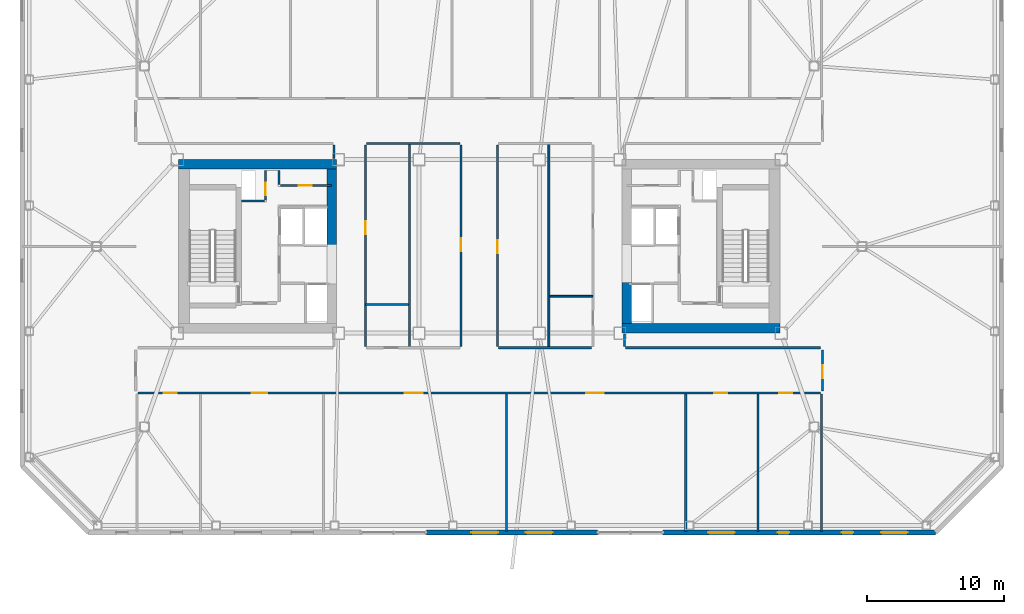
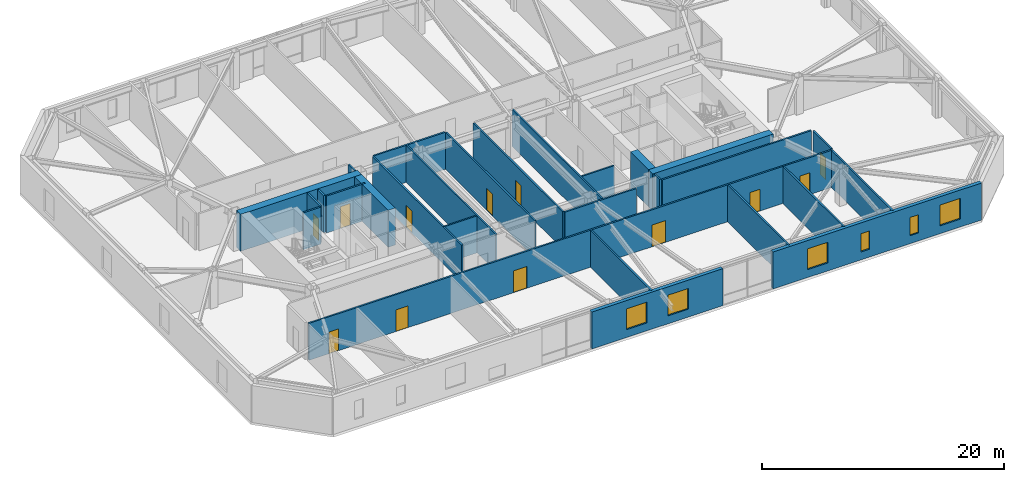
# One storey, part 11 of 18: 28 walls, 12 doors, 6 windows, 18 openings.
"""IFC4 building model written with IfcOpenShell, lengths in metres."""

from ifc_helpers import new_model, si_unit, direction, frame, frame_2d, origin, place, context, subcontext, project, spatial, rectangle, extrude, material, layer, layer_set, type_object, element, fill, save


model = new_model("IFC4")

# Units and contexts
model_context = context("Model", 3, precision=1e-05, world=origin(), true_north=direction((0.0, 1.0)))
body_context = subcontext(model_context, "Body", "Model", "MODEL_VIEW")
ifc_project = project(units=[si_unit("LENGTHUNIT", "METRE"), si_unit("AREAUNIT", "SQUARE_METRE"), si_unit("VOLUMEUNIT", "CUBIC_METRE"), si_unit("PLANEANGLEUNIT", "RADIAN"), si_unit("MASSUNIT", "GRAM", prefix="KILO")], contexts=[model_context])

# Site, building, storey
site_placement = place(None, origin())
site = spatial("IfcSite", under=ifc_project, at=site_placement, CompositionType="ELEMENT")
building_placement = place(site_placement, origin())
building = spatial("IfcBuilding", under=site, at=building_placement, Name="Tavrogorsk Clinical Tower", CompositionType="ELEMENT")
storey_placement = place(building_placement, frame((0.0, 0.0, 184.199951171875)))
storey = spatial("IfcBuildingStorey", under=building, at=storey_placement, Name="L42", CompositionType="ELEMENT", Elevation=184.199951171875)

# Walls
ifc_material_1 = material(Name="Lightweight concrete blockwork B15", Category="masonry")
ifc_layer_1 = layer(ifc_material_1, 0.139892578125)
ifc_layer_set_1 = layer_set([ifc_layer_1], Name="Lightweight concrete blockwork B15")
wall_type_1 = type_object("IfcWallType", Name="PartitionWall_140", PredefinedType="PARTITIONING", material=ifc_layer_set_1)
for number, where, z_axis, x_axis, name in (
    (1, (-5.10009765625, -7.4150390625, 0.0), (0.0, 0.0, 1.0), (0.0, 1.0, 0.0), "L42 Central Spine Partition 1"),
    (2, (5.10009765625, -7.4150390625, 0.0), (0.0, 0.0, 1.0), (0.0, 1.0, 0.0), "L42 Central Spine Partition 2"),
):
    element("IfcWall", number, at=place(storey_placement, frame(where, z_axis=z_axis, x_axis=x_axis)), inside=storey, type_object=wall_type_1, Name=name, PredefinedType="PARTITIONING", context=body_context, shape_type="SweptSolid", body=[
        extrude(rectangle(XDim=14.929931640625, YDim=0.139892578125, at=frame_2d((7.46484375, 0.0))), origin(), (0.0, 0.0, 1.0), 3.739990234375),
    ])
for number, where, z_axis, x_axis, name in (
    (3, (-8.31494140625, -4.25, 0.0), (0.0, 0.0, 1.0), (1.0, 0.0, 0.0), "L42 Central Spine Partition 3"),
    (4, (5.175048828125, -3.64990234375, 0.0), (0.0, 0.0, 1.0), (1.0, 0.0, 0.0), "L42 Central Spine Partition 4"),
):
    element("IfcWall", number, at=place(storey_placement, frame(where, z_axis=z_axis, x_axis=x_axis)), inside=storey, type_object=wall_type_1, Name=name, PredefinedType="PARTITIONING", context=body_context, shape_type="SweptSolid", body=[
        extrude(rectangle(XDim=3.139892578125, YDim=0.139892578125, at=frame_2d((1.56982421875, 0.0))), origin(), (0.0, 0.0, 1.0), 3.739990234375),
    ])

# Wall, opening, door
ifc_material_2 = material(Name="Lightweight concrete blockwork B15", Category="masonry")
ifc_layer_2 = layer(ifc_material_2, 0.159912109375)
ifc_layer_set_2 = layer_set([ifc_layer_2], Name="Lightweight concrete blockwork B15")
wall_type_2 = type_object("IfcWallType", Name="PartitionWall_160", PredefinedType="PARTITIONING", material=ifc_layer_set_2)
wall_1_placement = place(storey_placement, frame((-14.554931640625, 4.4599609375, 0.0), z_axis=(0.0, 0.0, 1.0), x_axis=(1.0, 0.0, 0.0)))
wall_1 = element("IfcWall", 5, at=wall_1_placement, inside=storey, type_object=wall_type_2, Name="L42 Core West Pneumatic Dispatch South Wall", PredefinedType="PARTITIONING", context=body_context, shape_type="SweptSolid", body=[
    extrude(rectangle(XDim=3.7548828125, YDim=0.159912109375, at=frame_2d((1.87744140625, 0.0))), origin(), (0.0, 0.0, 1.0), 3.739990234375),
])
opening_1_placement = place(wall_1_placement, frame((1.35009765625, 0.0, 0.0)))
opening_1 = element("IfcOpeningElement", 6, at=opening_1_placement, cuts=wall_1, Name="Opening ID-02", PredefinedType="OPENING", context=body_context, shape_type="SweptSolid", body=[
    extrude(rectangle(XDim=0.949951171875, YDim=2.199951171875, at=frame_2d((0.47509765625, 1.10009765625))), frame((0.0, 0.08984375, 0.0), z_axis=(0.0, -1.0, 0.0), x_axis=(1.0, 0.0, 0.0)), (0.0, 0.0, 1.0), 0.179931640625),
])
ifc_material_3 = material(Name="Laminated timber leaf on aluminium frame", Category="wood")
door_type_1 = type_object("IfcDoorType", Name="InteriorDoor_ID02_950", OperationType="NOTDEFINED", PredefinedType="DOOR", material=ifc_material_3)
door_1_placement = place(opening_1_placement, origin())
door_1 = element("IfcDoor", 7, at=door_1_placement, inside=storey, type_object=door_type_1, Name="L42 Core West Pneumatic Dispatch Door", OperationType="SINGLE_SWING_LEFT", OverallHeight=2.199951171875, OverallWidth=0.949951171875, PredefinedType="DOOR", context=body_context, shape_type="SweptSolid", body=[
    extrude(rectangle(XDim=0.949951171875, YDim=2.199951171875, at=frame_2d((0.47509765625, 1.10009765625))), frame((0.0, 0.02490234375, 0.0), z_axis=(0.0, -1.0, 0.0), x_axis=(1.0, 0.0, 0.0)), (0.0, 0.0, 1.0), 0.050048828125),
])
fill(opening_1, door_1)

# Walls
for number, where, z_axis, x_axis, name in (
    (8, (-14.639892578125, 4.544921875, 0.0), (0.0, 0.0, 1.0), (0.0, 1.0, 0.0), "L42 Core West Pneumatic Dispatch East Wall"),
    (9, (-10.6298828125, 6.419921875, 0.0), (0.0, 0.0, 1.0), (0.0, 1.0, 0.0), "L42 Corridor Partition 04"),
):
    element("IfcWall", number, at=place(storey_placement, frame(where, z_axis=z_axis, x_axis=x_axis)), inside=storey, type_object=wall_type_2, Name=name, PredefinedType="PARTITIONING", context=body_context, shape_type="SweptSolid", body=[
        extrude(rectangle(XDim=1.01513671875, YDim=0.159912109375, at=frame_2d((0.507568359375, 0.0))), origin(), (0.0, 0.0, 1.0), 3.739990234375),
    ])
wall_2_placement = place(storey_placement, frame((10.6298828125, -6.419921875, 0.0), z_axis=(0.0, 0.0, 1.0), x_axis=(0.0, -1.0, 0.0)))
element("IfcWall", 10, at=wall_2_placement, inside=storey, type_object=wall_type_2, Name="L42 Corridor Partition 11", PredefinedType="PARTITIONING", context=body_context, shape_type="SweptSolid", body=[
    extrude(rectangle(XDim=0.9150390625, YDim=0.159912109375, at=frame_2d((0.45751953125, 0.0))), origin(), (0.0, 0.0, 1.0), 3.739990234375),
])
wall_3_placement = place(storey_placement, frame((10.715087890625, -7.419921875, 0.0), z_axis=(0.0, 0.0, 1.0), x_axis=(1.0, 0.0, 0.0)))
element("IfcWall", 11, at=wall_3_placement, inside=storey, type_object=wall_type_2, Name="L42 Corridor Partition 12", PredefinedType="PARTITIONING", context=body_context, shape_type="SweptSolid", body=[
    extrude(rectangle(XDim=14.25, YDim=0.159912109375, at=frame_2d((7.125, 0.0))), origin(), (0.0, 0.0, 1.0), 3.739990234375),
])

# Wall, opening, door
wall_4_placement = place(storey_placement, frame((25.1298828125, -7.5849609375, 0.0), z_axis=(0.0, 0.0, 1.0), x_axis=(0.0, -1.0, 0.0)))
wall_4 = element("IfcWall", 12, at=wall_4_placement, inside=storey, type_object=wall_type_2, Name="L42 Corridor Partition 13", PredefinedType="PARTITIONING", context=body_context, shape_type="SweptSolid", body=[
    extrude(rectangle(XDim=2.97998046875, YDim=0.159912109375, at=frame_2d((1.489990234375, 0.0))), origin(), (0.0, 0.0, 1.0), 3.739990234375),
])
opening_2_placement = place(wall_4_placement, frame((1.10009765625, 0.0, 0.0)))
opening_2 = element("IfcOpeningElement", 13, at=opening_2_placement, cuts=wall_4, Name="Opening ID-02", PredefinedType="OPENING", context=body_context, shape_type="SweptSolid", body=[
    extrude(rectangle(XDim=0.949951171875, YDim=2.199951171875, at=frame_2d((0.47509765625, 1.10009765625))), frame((0.0, 0.08984375, 0.0), z_axis=(0.0, -1.0, 0.0), x_axis=(1.0, 0.0, 0.0)), (0.0, 0.0, 1.0), 0.179931640625),
])
door_2_placement = place(opening_2_placement, origin())
door_2 = element("IfcDoor", 14, at=door_2_placement, inside=storey, type_object=door_type_1, Name="L42 E Senior Clinician Suite 1 Door", OperationType="SINGLE_SWING_RIGHT", OverallHeight=2.199951171875, OverallWidth=0.949951171875, PredefinedType="DOOR", context=body_context, shape_type="SweptSolid", body=[
    extrude(rectangle(XDim=0.949951171875, YDim=2.199951171875, at=frame_2d((0.47509765625, 1.10009765625))), frame((0.0, 0.02490234375, 0.0), z_axis=(0.0, -1.0, 0.0), x_axis=(1.0, 0.0, 0.0)), (0.0, 0.0, 1.0), 0.050048828125),
])
fill(opening_2, door_2)

# Wall, openings, doors
wall_5_placement = place(storey_placement, frame((24.965087890625, -10.72998046875, 0.0), z_axis=(0.0, 0.0, 1.0), x_axis=(-1.0, 0.0, 0.0)))
wall_5 = element("IfcWall", 15, at=wall_5_placement, inside=storey, type_object=wall_type_2, Name="L42 Corridor Partition 14", PredefinedType="PARTITIONING", context=body_context, shape_type="SweptSolid", body=[
    extrude(rectangle(XDim=49.93017578125, YDim=0.159912109375, at=frame_2d((24.965087890625, 0.0))), origin(), (0.0, 0.0, 1.0), 3.739990234375),
])
opening_3_placement = place(wall_5_placement, frame((47.10595703125, 0.0, 0.0)))
opening_3 = element("IfcOpeningElement", 16, at=opening_3_placement, cuts=wall_5, Name="Opening ID-02", PredefinedType="OPENING", context=body_context, shape_type="SweptSolid", body=[
    extrude(rectangle(XDim=0.949951171875, YDim=2.199951171875, at=frame_2d((0.47509765625, 1.10009765625))), frame((0.0, 0.08984375, 0.0), z_axis=(0.0, -1.0, 0.0), x_axis=(1.0, 0.0, 0.0)), (0.0, 0.0, 1.0), 0.179931640625),
])
opening_4_placement = place(wall_5_placement, frame((40.47509765625, 0.0, 0.0)))
opening_4 = element("IfcOpeningElement", 17, at=opening_4_placement, cuts=wall_5, Name="Opening ID-06", PredefinedType="OPENING", context=body_context, shape_type="SweptSolid", body=[
    extrude(rectangle(XDim=1.14990234375, YDim=2.199951171875, at=frame_2d((0.574951171875, 1.10009765625))), frame((0.0, 0.08984375, 0.0), z_axis=(0.0, -1.0, 0.0), x_axis=(1.0, 0.0, 0.0)), (0.0, 0.0, 1.0), 0.179931640625),
])
opening_5_placement = place(wall_5_placement, frame((29.10009765625, 0.0, 0.0)))
opening_5 = element("IfcOpeningElement", 18, at=opening_5_placement, cuts=wall_5, Name="Opening ID-01", PredefinedType="OPENING", context=body_context, shape_type="SweptSolid", body=[
    extrude(rectangle(XDim=1.300048828125, YDim=2.199951171875, at=frame_2d((0.64990234375, 1.10009765625))), frame((0.0, 0.08984375, 0.0), z_axis=(0.0, -1.0, 0.0), x_axis=(1.0, 0.0, 0.0)), (0.0, 0.0, 1.0), 0.179931640625),
])
opening_6_placement = place(wall_5_placement, frame((15.840087890625, 0.0, 0.0)))
opening_6 = element("IfcOpeningElement", 19, at=opening_6_placement, cuts=wall_5, Name="Opening ID-01", PredefinedType="OPENING", context=body_context, shape_type="SweptSolid", body=[
    extrude(rectangle(XDim=1.300048828125, YDim=2.199951171875, at=frame_2d((0.64990234375, 1.10009765625))), frame((0.0, 0.08984375, 0.0), z_axis=(0.0, -1.0, 0.0), x_axis=(1.0, 0.0, 0.0)), (0.0, 0.0, 1.0), 0.179931640625),
])
opening_7_placement = place(wall_5_placement, frame((6.81494140625, 0.0, 0.0)))
opening_7 = element("IfcOpeningElement", 20, at=opening_7_placement, cuts=wall_5, Name="Opening ID-02", PredefinedType="OPENING", context=body_context, shape_type="SweptSolid", body=[
    extrude(rectangle(XDim=0.949951171875, YDim=2.199951171875, at=frame_2d((0.47509765625, 1.10009765625))), frame((0.0, 0.08984375, 0.0), z_axis=(0.0, -1.0, 0.0), x_axis=(1.0, 0.0, 0.0)), (0.0, 0.0, 1.0), 0.179931640625),
])
opening_8_placement = place(wall_5_placement, frame((2.044189453125, 0.0, 0.0)))
opening_8 = element("IfcOpeningElement", 21, at=opening_8_placement, cuts=wall_5, Name="Opening ID-02", PredefinedType="OPENING", context=body_context, shape_type="SweptSolid", body=[
    extrude(rectangle(XDim=0.949951171875, YDim=2.199951171875, at=frame_2d((0.47509765625, 1.10009765625))), frame((0.0, 0.08984375, 0.0), z_axis=(0.0, -1.0, 0.0), x_axis=(1.0, 0.0, 0.0)), (0.0, 0.0, 1.0), 0.179931640625),
])
door_3_placement = place(opening_3_placement, origin())
door_3 = element("IfcDoor", 22, at=door_3_placement, inside=storey, type_object=door_type_1, Name="L42 South Clinical Case Seminar Room 01 Door", OperationType="SINGLE_SWING_RIGHT", OverallHeight=2.199951171875, OverallWidth=0.949951171875, PredefinedType="DOOR", context=body_context, shape_type="SweptSolid", body=[
    extrude(rectangle(XDim=0.949951171875, YDim=2.199951171875, at=frame_2d((0.47509765625, 1.10009765625))), frame((0.0, 0.02490234375, 0.0), z_axis=(0.0, -1.0, 0.0), x_axis=(1.0, 0.0, 0.0)), (0.0, 0.0, 1.0), 0.050048828125),
])
fill(opening_3, door_3)
door_4_placement = place(opening_7_placement, origin())
door_4 = element("IfcDoor", 23, at=door_4_placement, inside=storey, type_object=door_type_1, Name="L42 South Soiled Utility & Sluice Room 05 Door", OperationType="SINGLE_SWING_RIGHT", OverallHeight=2.199951171875, OverallWidth=0.949951171875, PredefinedType="DOOR", context=body_context, shape_type="SweptSolid", body=[
    extrude(rectangle(XDim=0.949951171875, YDim=2.199951171875, at=frame_2d((0.47509765625, 1.10009765625))), frame((0.0, 0.02490234375, 0.0), z_axis=(0.0, -1.0, 0.0), x_axis=(1.0, 0.0, 0.0)), (0.0, 0.0, 1.0), 0.050048828125),
])
fill(opening_7, door_4)
door_5_placement = place(opening_8_placement, origin())
door_5 = element("IfcDoor", 24, at=door_5_placement, inside=storey, type_object=door_type_1, Name="L42 South Clinical Case Seminar Room 06 Door", OperationType="SINGLE_SWING_LEFT", OverallHeight=2.199951171875, OverallWidth=0.949951171875, PredefinedType="DOOR", context=body_context, shape_type="SweptSolid", body=[
    extrude(rectangle(XDim=0.949951171875, YDim=2.199951171875, at=frame_2d((0.47509765625, 1.10009765625))), frame((0.0, 0.02490234375, 0.0), z_axis=(0.0, -1.0, 0.0), x_axis=(1.0, 0.0, 0.0)), (0.0, 0.0, 1.0), 0.050048828125),
])
fill(opening_8, door_5)
ifc_material_4 = material(Name="Antibacterial HPL procedure door on aluminium frame", Category="aluminium")
door_type_2 = type_object("IfcDoorType", Name="LabDoor_ID06_1150", OperationType="NOTDEFINED", PredefinedType="DOOR", material=ifc_material_4)
door_6_placement = place(opening_4_placement, origin())
door_6 = element("IfcDoor", 25, at=door_6_placement, inside=storey, type_object=door_type_2, Name="L42 South Staff Rest & Nourishment Lounge 02 Door", OperationType="SINGLE_SWING_LEFT", OverallHeight=2.199951171875, OverallWidth=1.14990234375, PredefinedType="DOOR", context=body_context, shape_type="SweptSolid", body=[
    extrude(rectangle(XDim=1.14990234375, YDim=2.199951171875, at=frame_2d((0.574951171875, 1.10009765625))), frame((0.0, 0.02490234375, 0.0), z_axis=(0.0, -1.0, 0.0), x_axis=(1.0, 0.0, 0.0)), (0.0, 0.0, 1.0), 0.050048828125),
])
fill(opening_4, door_6)
ifc_material_5 = material(Name="Antibacterial HPL medical leaf on aluminium frame", Category="aluminium")
door_type_3 = type_object("IfcDoorType", Name="WardBedDoor_ID01_1300", OperationType="NOTDEFINED", PredefinedType="DOOR", material=ifc_material_5)
door_7_placement = place(opening_5_placement, origin())
door_7 = element("IfcDoor", 26, at=door_7_placement, inside=storey, type_object=door_type_3, Name="L42 South Bariatric Observation Ward 03 Door", OperationType="SINGLE_SWING_RIGHT", OverallHeight=2.199951171875, OverallWidth=1.300048828125, PredefinedType="DOOR", context=body_context, shape_type="SweptSolid", body=[
    extrude(rectangle(XDim=1.300048828125, YDim=2.199951171875, at=frame_2d((0.64990234375, 1.10009765625))), frame((0.0, 0.02490234375, 0.0), z_axis=(0.0, -1.0, 0.0), x_axis=(1.0, 0.0, 0.0)), (0.0, 0.0, 1.0), 0.050048828125),
])
fill(opening_5, door_7)
door_8_placement = place(opening_6_placement, origin())
door_8 = element("IfcDoor", 27, at=door_8_placement, inside=storey, type_object=door_type_3, Name="L42 South Surgical Step-Down Ward 04 Door", OperationType="SINGLE_SWING_LEFT", OverallHeight=2.199951171875, OverallWidth=1.300048828125, PredefinedType="DOOR", context=body_context, shape_type="SweptSolid", body=[
    extrude(rectangle(XDim=1.300048828125, YDim=2.199951171875, at=frame_2d((0.64990234375, 1.10009765625))), frame((0.0, 0.02490234375, 0.0), z_axis=(0.0, -1.0, 0.0), x_axis=(1.0, 0.0, 0.0)), (0.0, 0.0, 1.0), 0.050048828125),
])
fill(opening_6, door_8)

# Wall, opening, door
wall_6_placement = place(storey_placement, frame((1.330078125, 7.43505859375, 0.0), z_axis=(0.0, 0.0, 1.0), x_axis=(0.0, -1.0, 0.0)))
wall_6 = element("IfcWall", 28, at=wall_6_placement, inside=storey, type_object=wall_type_2, Name="L42 Corridor Partition 16", PredefinedType="PARTITIONING", context=body_context, shape_type="SweptSolid", body=[
    extrude(rectangle(XDim=14.77001953125, YDim=0.159912109375, at=frame_2d((7.385009765625, 0.0))), origin(), (0.0, 0.0, 1.0), 3.739990234375),
])
opening_9_placement = place(wall_6_placement, frame((6.9951171875, 0.0, 0.0)))
opening_9 = element("IfcOpeningElement", 29, at=opening_9_placement, cuts=wall_6, Name="Opening ID-02", PredefinedType="OPENING", context=body_context, shape_type="SweptSolid", body=[
    extrude(rectangle(XDim=0.949951171875, YDim=2.199951171875, at=frame_2d((0.47509765625, 1.10009765625))), frame((0.0, 0.08984375, 0.0), z_axis=(0.0, -1.0, 0.0), x_axis=(1.0, 0.0, 0.0)), (0.0, 0.0, 1.0), 0.179931640625),
])
door_9_placement = place(opening_9_placement, origin())
door_9 = element("IfcDoor", 30, at=door_9_placement, inside=storey, type_object=door_type_1, Name="L42 Clean Medication Preparation Room Door", OperationType="SINGLE_SWING_LEFT", OverallHeight=2.199951171875, OverallWidth=0.949951171875, PredefinedType="DOOR", context=body_context, shape_type="SweptSolid", body=[
    extrude(rectangle(XDim=0.949951171875, YDim=2.199951171875, at=frame_2d((0.47509765625, 1.10009765625))), frame((0.0, 0.02490234375, 0.0), z_axis=(0.0, -1.0, 0.0), x_axis=(1.0, 0.0, 0.0)), (0.0, 0.0, 1.0), 0.050048828125),
])
fill(opening_9, door_9)

# Wall
wall_7_placement = place(storey_placement, frame((1.4150390625, -7.419921875, 0.0), z_axis=(0.0, 0.0, 1.0), x_axis=(1.0, 0.0, 0.0)))
element("IfcWall", 31, at=wall_7_placement, inside=storey, type_object=wall_type_2, Name="L42 Corridor Partition 17", PredefinedType="PARTITIONING", context=body_context, shape_type="SweptSolid", body=[
    extrude(rectangle(XDim=6.820068359375, YDim=0.159912109375, at=frame_2d((3.41015625, 0.0))), origin(), (0.0, 0.0, 1.0), 3.739990234375),
])

# Wall, opening, door
wall_8_placement = place(storey_placement, frame((-1.330078125, -7.3349609375, 0.0), z_axis=(0.0, 0.0, 1.0), x_axis=(0.0, 1.0, 0.0)))
wall_8 = element("IfcWall", 32, at=wall_8_placement, inside=storey, type_object=wall_type_2, Name="L42 Corridor Partition 19", PredefinedType="PARTITIONING", context=body_context, shape_type="SweptSolid", body=[
    extrude(rectangle(XDim=14.77001953125, YDim=0.159912109375, at=frame_2d((7.385009765625, 0.0))), origin(), (0.0, 0.0, 1.0), 3.739990234375),
])
opening_10_placement = place(wall_8_placement, frame((6.9951171875, 0.0, 0.0)))
opening_10 = element("IfcOpeningElement", 33, at=opening_10_placement, cuts=wall_8, Name="Opening ID-02", PredefinedType="OPENING", context=body_context, shape_type="SweptSolid", body=[
    extrude(rectangle(XDim=0.949951171875, YDim=2.199951171875, at=frame_2d((0.47509765625, 1.10009765625))), frame((0.0, 0.08984375, 0.0), z_axis=(0.0, -1.0, 0.0), x_axis=(1.0, 0.0, 0.0)), (0.0, 0.0, 1.0), 0.179931640625),
])
door_10_placement = place(opening_10_placement, origin())
door_10 = element("IfcDoor", 34, at=door_10_placement, inside=storey, type_object=door_type_1, Name="L42 Nurses' Station & Telemetry Hub Door", OperationType="SINGLE_SWING_RIGHT", OverallHeight=2.199951171875, OverallWidth=0.949951171875, PredefinedType="DOOR", context=body_context, shape_type="SweptSolid", body=[
    extrude(rectangle(XDim=0.949951171875, YDim=2.199951171875, at=frame_2d((0.47509765625, 1.10009765625))), frame((0.0, 0.02490234375, 0.0), z_axis=(0.0, -1.0, 0.0), x_axis=(1.0, 0.0, 0.0)), (0.0, 0.0, 1.0), 0.050048828125),
])
fill(opening_10, door_10)

# Wall
wall_9_placement = place(storey_placement, frame((-1.4150390625, 7.52001953125, 0.0), z_axis=(0.0, 0.0, 1.0), x_axis=(-1.0, 0.0, 0.0)))
element("IfcWall", 35, at=wall_9_placement, inside=storey, type_object=wall_type_2, Name="L42 Corridor Partition 20", PredefinedType="PARTITIONING", context=body_context, shape_type="SweptSolid", body=[
    extrude(rectangle(XDim=6.820068359375, YDim=0.159912109375, at=frame_2d((3.41015625, 0.0))), origin(), (0.0, 0.0, 1.0), 3.739990234375),
])

# Wall, opening, door
wall_10_placement = place(storey_placement, frame((-8.320068359375, 7.43505859375, 0.0), z_axis=(0.0, 0.0, 1.0), x_axis=(0.0, -1.0, 0.0)))
wall_10 = element("IfcWall", 36, at=wall_10_placement, inside=storey, type_object=wall_type_2, Name="L42 Corridor Partition 21", PredefinedType="PARTITIONING", context=body_context, shape_type="SweptSolid", body=[
    extrude(rectangle(XDim=14.77001953125, YDim=0.159912109375, at=frame_2d((7.385009765625, 0.0))), origin(), (0.0, 0.0, 1.0), 3.739990234375),
])
opening_11_placement = place(wall_10_placement, frame((5.60400390625, 0.0, 0.0)))
opening_11 = element("IfcOpeningElement", 37, at=opening_11_placement, cuts=wall_10, Name="Opening ID-02", PredefinedType="OPENING", context=body_context, shape_type="SweptSolid", body=[
    extrude(rectangle(XDim=0.949951171875, YDim=2.199951171875, at=frame_2d((0.47509765625, 1.10009765625))), frame((0.0, 0.08984375, 0.0), z_axis=(0.0, -1.0, 0.0), x_axis=(1.0, 0.0, 0.0)), (0.0, 0.0, 1.0), 0.179931640625),
])
door_11_placement = place(opening_11_placement, origin())
door_11 = element("IfcDoor", 38, at=door_11_placement, inside=storey, type_object=door_type_1, Name="L42 Ward Nourishment Pantry Door", OperationType="SINGLE_SWING_LEFT", OverallHeight=2.199951171875, OverallWidth=0.949951171875, PredefinedType="DOOR", context=body_context, shape_type="SweptSolid", body=[
    extrude(rectangle(XDim=0.949951171875, YDim=2.199951171875, at=frame_2d((0.47509765625, 1.10009765625))), frame((0.0, 0.02490234375, 0.0), z_axis=(0.0, -1.0, 0.0), x_axis=(1.0, 0.0, 0.0)), (0.0, 0.0, 1.0), 0.050048828125),
])
fill(opening_11, door_11)

# Walls
for number, where, z_axis, x_axis, name in (
    (39, (25.050048828125, -20.860107421875, 0.0), (0.0, 0.0, 1.0), (0.0, 1.0, 0.0), "L42 SE Wing Closure Partition"),
    (40, (2.0, -20.860107421875, 0.0), (0.0, 0.0, 1.0), (0.0, 1.0, 0.0), "L42 South Room Partition 3"),
    (41, (15.1201171875, -20.860107421875, 0.0), (0.0, 0.0, 1.0), (0.0, 1.0, 0.0), "L42 South Room Partition 4"),
    (42, (20.39990234375, -20.860107421875, 0.0), (0.0, 0.0, 1.0), (0.0, 1.0, 0.0), "L42 South Room Partition 5"),
):
    element("IfcWall", number, at=place(storey_placement, frame(where, z_axis=z_axis, x_axis=x_axis)), inside=storey, type_object=wall_type_2, Name=name, PredefinedType="PARTITIONING", context=body_context, shape_type="SweptSolid", body=[
        extrude(rectangle(XDim=10.045166015625, YDim=0.159912109375, at=frame_2d((5.0224609375, 0.0))), origin(), (0.0, 0.0, 1.0), 3.739990234375),
    ])

# Wall, openings, windows
ifc_material_6 = material(Name="Precast concrete B45 with limestone cladding", Category="masonry")
ifc_layer_3 = layer(ifc_material_6, 0.340087890625)
ifc_layer_set_3 = layer_set([ifc_layer_3], Name="Precast concrete B45 with limestone cladding")
wall_type_3 = type_object("IfcWallType", Name="PrecastLimestoneWall_340", PredefinedType="STANDARD", material=ifc_layer_set_3)
wall_11_placement = place(storey_placement, frame((-3.86279296875, -20.929931640625, 0.0), z_axis=(0.0, 0.0, 1.0), x_axis=(1.0, 0.0, 0.0)))
wall_11 = element("IfcWall", 43, at=wall_11_placement, inside=storey, type_object=wall_type_3, Name="L42 S Limestone Facade Wall 2", PredefinedType="STANDARD", context=body_context, shape_type="SweptSolid", body=[
    extrude(rectangle(XDim=12.525634765625, YDim=0.340087890625, at=frame_2d((6.2626953125, 0.0))), origin(), (0.0, 0.0, 1.0), 3.739990234375),
])
opening_12_placement = place(wall_11_placement, frame((3.29541015625, 0.0, 0.800048828125)))
opening_12 = element("IfcOpeningElement", 44, at=opening_12_placement, cuts=wall_11, Name="Opening WN-13", PredefinedType="OPENING", context=body_context, shape_type="SweptSolid", body=[
    extrude(rectangle(XDim=1.949951171875, YDim=2.10009765625, at=frame_2d((0.97509765625, 1.050048828125))), frame((0.0, 0.179931640625, 0.0), z_axis=(0.0, -1.0, 0.0), x_axis=(1.0, 0.0, 0.0)), (0.0, 0.0, 1.0), 0.360107421875),
])
opening_13_placement = place(wall_11_placement, frame((7.2802734375, 0.0, 0.800048828125)))
opening_13 = element("IfcOpeningElement", 45, at=opening_13_placement, cuts=wall_11, Name="Opening WN-13", PredefinedType="OPENING", context=body_context, shape_type="SweptSolid", body=[
    extrude(rectangle(XDim=1.949951171875, YDim=2.10009765625, at=frame_2d((0.97509765625, 1.050048828125))), frame((0.0, 0.179931640625, 0.0), z_axis=(0.0, -1.0, 0.0), x_axis=(1.0, 0.0, 0.0)), (0.0, 0.0, 1.0), 0.360107421875),
])
ifc_material_7 = material(Name="Thermally broken aluminium frame and triple IGU", Category="aluminium")
window_type_1 = type_object("IfcWindowType", Name="ExamRoomWin_1950x2100", PartitioningType="DOUBLE_PANEL_VERTICAL", PredefinedType="WINDOW", material=ifc_material_7)
window_1_placement = place(opening_12_placement, origin())
window_1 = element("IfcWindow", 46, at=window_1_placement, inside=storey, type_object=window_type_1, Name="L42 S Chicago Window 05", OverallHeight=2.10009765625, OverallWidth=1.949951171875, PartitioningType="SINGLE_PANEL", PredefinedType="WINDOW", context=body_context, shape_type="SweptSolid", body=[
    extrude(rectangle(XDim=1.949951171875, YDim=2.10009765625, at=frame_2d((0.97509765625, 1.050048828125))), frame((0.0, 0.030029296875, 0.0), z_axis=(0.0, -1.0, 0.0), x_axis=(1.0, 0.0, 0.0)), (0.0, 0.0, 1.0), 0.06005859375),
])
fill(opening_12, window_1)
window_2_placement = place(opening_13_placement, origin())
window_2 = element("IfcWindow", 47, at=window_2_placement, inside=storey, type_object=window_type_1, Name="L42 S Chicago Window 06", OverallHeight=2.10009765625, OverallWidth=1.949951171875, PartitioningType="SINGLE_PANEL", PredefinedType="WINDOW", context=body_context, shape_type="SweptSolid", body=[
    extrude(rectangle(XDim=1.949951171875, YDim=2.10009765625, at=frame_2d((0.97509765625, 1.050048828125))), frame((0.0, 0.030029296875, 0.0), z_axis=(0.0, -1.0, 0.0), x_axis=(1.0, 0.0, 0.0)), (0.0, 0.0, 1.0), 0.06005859375),
])
fill(opening_13, window_2)

wall_12_placement = place(storey_placement, frame((13.462890625, -20.929931640625, 0.0), z_axis=(0.0, 0.0, 1.0), x_axis=(1.0, 0.0, 0.0)))
wall_12 = element("IfcWall", 48, at=wall_12_placement, inside=storey, type_object=wall_type_3, Name="L42 S Limestone Facade Wall 3", PredefinedType="STANDARD", context=body_context, shape_type="SweptSolid", body=[
    extrude(rectangle(XDim=19.93701171875, YDim=0.340087890625, at=frame_2d((9.968505859375, 0.0))), origin(), (0.0, 0.0, 1.0), 3.739990234375),
])
opening_14_placement = place(wall_12_placement, frame((3.29541015625, 0.0, 0.800048828125)))
opening_14 = element("IfcOpeningElement", 49, at=opening_14_placement, cuts=wall_12, Name="Opening WN-13", PredefinedType="OPENING", context=body_context, shape_type="SweptSolid", body=[
    extrude(rectangle(XDim=1.949951171875, YDim=2.10009765625, at=frame_2d((0.97509765625, 1.050048828125))), frame((0.0, 0.179931640625, 0.0), z_axis=(0.0, -1.0, 0.0), x_axis=(1.0, 0.0, 0.0)), (0.0, 0.0, 1.0), 0.360107421875),
])
opening_15_placement = place(wall_12_placement, frame((8.38037109375, 0.0, 0.800048828125)))
opening_15 = element("IfcOpeningElement", 50, at=opening_15_placement, cuts=wall_12, Name="Opening WN-06", PredefinedType="OPENING", context=body_context, shape_type="SweptSolid", body=[
    extrude(rectangle(XDim=0.85009765625, YDim=1.85009765625, at=frame_2d((0.425048828125, 0.925048828125))), frame((0.0, 0.179931640625, 0.0), z_axis=(0.0, -1.0, 0.0), x_axis=(1.0, 0.0, 0.0)), (0.0, 0.0, 1.0), 0.360107421875),
])
opening_16_placement = place(wall_12_placement, frame((13.058349609375, 0.0, 0.800048828125)))
opening_16 = element("IfcOpeningElement", 51, at=opening_16_placement, cuts=wall_12, Name="Opening WN-06", PredefinedType="OPENING", context=body_context, shape_type="SweptSolid", body=[
    extrude(rectangle(XDim=0.85009765625, YDim=1.85009765625, at=frame_2d((0.425048828125, 0.925048828125))), frame((0.0, 0.179931640625, 0.0), z_axis=(0.0, -1.0, 0.0), x_axis=(1.0, 0.0, 0.0)), (0.0, 0.0, 1.0), 0.360107421875),
])
opening_17_placement = place(wall_12_placement, frame((15.943115234375, 0.0, 0.800048828125)))
opening_17 = element("IfcOpeningElement", 52, at=opening_17_placement, cuts=wall_12, Name="Opening WN-13", PredefinedType="OPENING", context=body_context, shape_type="SweptSolid", body=[
    extrude(rectangle(XDim=1.949951171875, YDim=2.10009765625, at=frame_2d((0.97509765625, 1.050048828125))), frame((0.0, 0.179931640625, 0.0), z_axis=(0.0, -1.0, 0.0), x_axis=(1.0, 0.0, 0.0)), (0.0, 0.0, 1.0), 0.360107421875),
])
window_3_placement = place(opening_14_placement, origin())
window_3 = element("IfcWindow", 53, at=window_3_placement, inside=storey, type_object=window_type_1, Name="L42 S Chicago Window 07", OverallHeight=2.10009765625, OverallWidth=1.949951171875, PartitioningType="SINGLE_PANEL", PredefinedType="WINDOW", context=body_context, shape_type="SweptSolid", body=[
    extrude(rectangle(XDim=1.949951171875, YDim=2.10009765625, at=frame_2d((0.97509765625, 1.050048828125))), frame((0.0, 0.030029296875, 0.0), z_axis=(0.0, -1.0, 0.0), x_axis=(1.0, 0.0, 0.0)), (0.0, 0.0, 1.0), 0.06005859375),
])
fill(opening_14, window_3)
window_4_placement = place(opening_17_placement, origin())
window_4 = element("IfcWindow", 54, at=window_4_placement, inside=storey, type_object=window_type_1, Name="L42 S Chicago Window 10", OverallHeight=2.10009765625, OverallWidth=1.949951171875, PartitioningType="SINGLE_PANEL", PredefinedType="WINDOW", context=body_context, shape_type="SweptSolid", body=[
    extrude(rectangle(XDim=1.949951171875, YDim=2.10009765625, at=frame_2d((0.97509765625, 1.050048828125))), frame((0.0, 0.030029296875, 0.0), z_axis=(0.0, -1.0, 0.0), x_axis=(1.0, 0.0, 0.0)), (0.0, 0.0, 1.0), 0.06005859375),
])
fill(opening_17, window_4)
ifc_material_8 = material(Name="Thermally broken aluminium frame and triple IGU", Category="aluminium")
window_type_2 = type_object("IfcWindowType", Name="MullionSubWin_850x1850", PartitioningType="SINGLE_PANEL", PredefinedType="WINDOW", material=ifc_material_8)
window_5_placement = place(opening_15_placement, origin())
window_5 = element("IfcWindow", 55, at=window_5_placement, inside=storey, type_object=window_type_2, Name="L42 S Mullion Split Window 08B", OverallHeight=1.85009765625, OverallWidth=0.85009765625, PartitioningType="SINGLE_PANEL", PredefinedType="WINDOW", context=body_context, shape_type="SweptSolid", body=[
    extrude(rectangle(XDim=0.85009765625, YDim=1.85009765625, at=frame_2d((0.425048828125, 0.925048828125))), frame((0.0, 0.030029296875, 0.0), z_axis=(0.0, -1.0, 0.0), x_axis=(1.0, 0.0, 0.0)), (0.0, 0.0, 1.0), 0.06005859375),
])
fill(opening_15, window_5)
window_6_placement = place(opening_16_placement, origin())
window_6 = element("IfcWindow", 56, at=window_6_placement, inside=storey, type_object=window_type_2, Name="L42 S Mullion Split Window 09B", OverallHeight=1.85009765625, OverallWidth=0.85009765625, PartitioningType="SINGLE_PANEL", PredefinedType="WINDOW", context=body_context, shape_type="SweptSolid", body=[
    extrude(rectangle(XDim=0.85009765625, YDim=1.85009765625, at=frame_2d((0.425048828125, 0.925048828125))), frame((0.0, 0.030029296875, 0.0), z_axis=(0.0, -1.0, 0.0), x_axis=(1.0, 0.0, 0.0)), (0.0, 0.0, 1.0), 0.06005859375),
])
fill(opening_16, window_6)

# Wall, opening, door
ifc_material_9 = material(Name="Lightweight concrete blockwork B25", Category="masonry")
ifc_layer_4 = layer(ifc_material_9, 0.159912109375)
ifc_layer_set_4 = layer_set([ifc_layer_4], Name="Lightweight concrete blockwork B25")
wall_type_4 = type_object("IfcWallType", Name="ShaftWall_160", PredefinedType="PARTITIONING", material=ifc_layer_set_4)
wall_13_placement = place(storey_placement, frame((-15.639892578125, 3.405029296875, 0.0), z_axis=(0.0, 0.0, 1.0), x_axis=(0.0, 1.0, 0.0)))
wall_13 = element("IfcWall", 57, at=wall_13_placement, inside=storey, type_object=wall_type_4, Name="L42 Core West Riser West Wall", PredefinedType="PARTITIONING", context=body_context, shape_type="SweptSolid", body=[
    extrude(rectangle(XDim=2.155029296875, YDim=0.159912109375, at=frame_2d((1.07763671875, 0.0))), origin(), (0.0, 0.0, 1.0), 3.739990234375),
])
opening_18_placement = place(wall_13_placement, frame((0.35009765625, 0.0, 0.0)))
opening_18 = element("IfcOpeningElement", 58, at=opening_18_placement, cuts=wall_13, Name="Opening FD-02", PredefinedType="OPENING", context=body_context, shape_type="SweptSolid", body=[
    extrude(rectangle(XDim=0.89990234375, YDim=2.199951171875, at=frame_2d((0.449951171875, 1.10009765625))), frame((0.0, 0.08984375, 0.0), z_axis=(0.0, -1.0, 0.0), x_axis=(1.0, 0.0, 0.0)), (0.0, 0.0, 1.0), 0.179931640625),
])
ifc_material_10 = material(Name="Galvanised steel fire-rated door assembly", Category="steel")
door_type_4 = type_object("IfcDoorType", Name="FireDoor_FD02_900", OperationType="NOTDEFINED", PredefinedType="DOOR", material=ifc_material_10)
door_12_placement = place(opening_18_placement, origin())
door_12 = element("IfcDoor", 59, at=door_12_placement, inside=storey, type_object=door_type_4, Name="L42 Core West Electrical Riser Access Door", OperationType="SINGLE_SWING_LEFT", OverallHeight=2.199951171875, OverallWidth=0.89990234375, PredefinedType="DOOR", context=body_context, shape_type="SweptSolid", body=[
    extrude(rectangle(XDim=0.89990234375, YDim=2.199951171875, at=frame_2d((0.449951171875, 1.10009765625))), frame((0.0, 0.02490234375, 0.0), z_axis=(0.0, -1.0, 0.0), x_axis=(1.0, 0.0, 0.0)), (0.0, 0.0, 1.0), 0.050048828125),
])
fill(opening_18, door_12)

# Walls
wall_14_placement = place(storey_placement, frame((-17.3798828125, 3.320068359375, 0.0), z_axis=(0.0, 0.0, 1.0), x_axis=(1.0, 0.0, 0.0)))
element("IfcWall", 60, at=wall_14_placement, inside=storey, type_object=wall_type_4, Name="L42 Core West Riser South Wall", PredefinedType="PARTITIONING", context=body_context, shape_type="SweptSolid", body=[
    extrude(rectangle(XDim=1.65478515625, YDim=0.159912109375, at=frame_2d((0.827392578125, 0.0))), origin(), (0.0, 0.0, 1.0), 3.739990234375),
])
ifc_material_11 = material(Name="Concrete B80", Category="concrete")
ifc_layer_5 = layer(ifc_material_11, 0.699951171875)
ifc_layer_set_5 = layer_set([ifc_layer_5], Name="Concrete B80")
wall_type_5 = type_object("IfcWallType", Name="ShearWall_700", PredefinedType="SHEAR", material=ifc_layer_set_5)
wall_15_placement = place(storey_placement, frame((-22.0, 6.0, 0.0), z_axis=(0.0, 0.0, 1.0), x_axis=(1.0, 0.0, 0.0)))
element("IfcWall", 61, at=wall_15_placement, inside=storey, type_object=wall_type_5, Name="L42 Core West North Shear Wall", PredefinedType="SHEAR", context=body_context, shape_type="SweptSolid", body=[
    extrude(rectangle(XDim=11.550048828125, YDim=0.699951171875, at=frame_2d((5.77490234375, 0.0))), origin(), (0.0, 0.0, 1.0), 3.739990234375),
])
wall_16_placement = place(storey_placement, frame((-10.800048828125, 0.050048828125, 0.0), z_axis=(0.0, 0.0, 1.0), x_axis=(0.0, 1.0, 0.0)))
element("IfcWall", 62, at=wall_16_placement, inside=storey, type_object=wall_type_5, Name="L42 Core West Inner North Pier", PredefinedType="SHEAR", context=body_context, shape_type="SweptSolid", body=[
    extrude(rectangle(XDim=5.599853515625, YDim=0.699951171875, at=frame_2d((2.7998046875, 0.0))), origin(), (0.0, 0.0, 1.0), 3.739990234375),
])
wall_17_placement = place(storey_placement, frame((10.449951171875, -6.0, 0.0), z_axis=(0.0, 0.0, 1.0), x_axis=(1.0, 0.0, 0.0)))
element("IfcWall", 63, at=wall_17_placement, inside=storey, type_object=wall_type_5, Name="L42 Core East South Shear Wall", PredefinedType="SHEAR", context=body_context, shape_type="SweptSolid", body=[
    extrude(rectangle(XDim=11.550048828125, YDim=0.699951171875, at=frame_2d((5.77490234375, 0.0))), origin(), (0.0, 0.0, 1.0), 3.739990234375),
])
wall_18_placement = place(storey_placement, frame((10.800048828125, -5.64990234375, 0.0), z_axis=(0.0, 0.0, 1.0), x_axis=(0.0, 1.0, 0.0)))
element("IfcWall", 64, at=wall_18_placement, inside=storey, type_object=wall_type_5, Name="L42 Core East Inner South Pier", PredefinedType="SHEAR", context=body_context, shape_type="SweptSolid", body=[
    extrude(rectangle(XDim=3.0, YDim=0.699951171875, at=frame_2d((1.5, 0.0))), origin(), (0.0, 0.0, 1.0), 3.739990234375),
])

save(model, "model.ifc")
